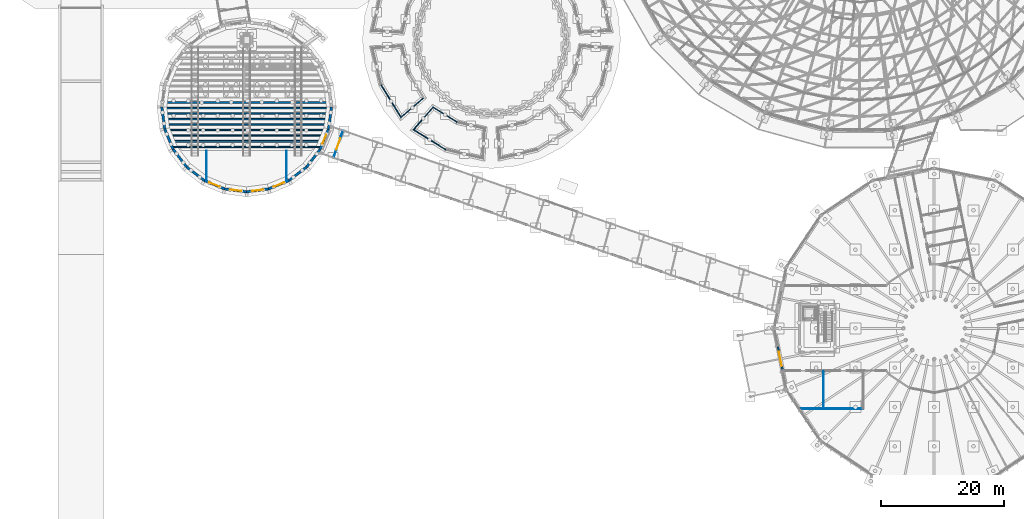
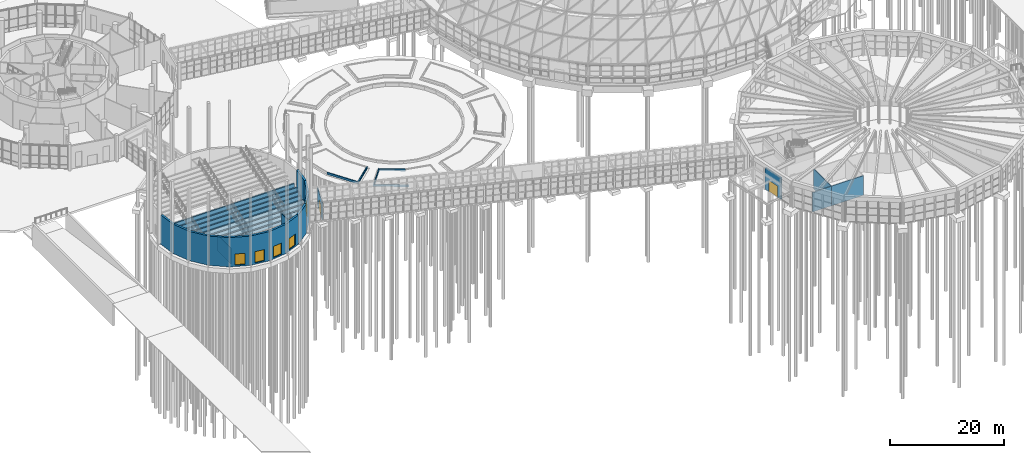
# One storey, part 159 of 226: 33 walls, 7 doors, 7 openings.
"""IFC4 building model written with IfcOpenShell, lengths in metres."""

from ifc_helpers import new_model, si_unit, direction, frame, frame_2d, origin, place, context, subcontext, project, spatial, polyline, rectangle, outline, extrude, material, layer, layer_set, type_object, element, fill, save


model = new_model("IFC4")

# Units and contexts
model_context = context("Model", 3, precision=1e-05, world=origin(), true_north=direction((0.0, 1.0)))
body_context = subcontext(model_context, "Body", "Model", "MODEL_VIEW")
ifc_project = project(units=[si_unit("LENGTHUNIT", "METRE"), si_unit("AREAUNIT", "SQUARE_METRE"), si_unit("VOLUMEUNIT", "CUBIC_METRE"), si_unit("PLANEANGLEUNIT", "RADIAN"), si_unit("MASSUNIT", "GRAM", prefix="KILO")], contexts=[model_context])

# Site, building, storey
site_placement = place(None, origin())
site = spatial("IfcSite", under=ifc_project, at=site_placement, CompositionType="ELEMENT")
building_placement = place(site_placement, origin())
building = spatial("IfcBuilding", under=site, at=building_placement, Name="Ceibo Conservatory and Research Tower", CompositionType="ELEMENT")
storey_placement = place(building_placement, origin())
storey = spatial("IfcBuildingStorey", under=building, at=storey_placement, Name="L00", CompositionType="ELEMENT", Elevation=0.0)

# Wall, opening, door
ifc_material_1 = material(Name="Aluminium and glass", Category="aluminium")
ifc_layer_1 = layer(ifc_material_1, 0.10009765625)
ifc_layer_set_1 = layer_set([ifc_layer_1], Name="Aluminium and glass")
wall_type_1 = type_object("IfcWallType", Name="Airlock screen wall 100", PredefinedType="PARTITIONING", material=ifc_layer_set_1)
wall_1_placement = place(storey_placement, frame((71.8369140625, 68.138671875, 0.0), z_axis=(0.0, 0.0, 1.0), x_axis=(-0.328302421987, -0.944572665134, 0.0)))
wall_1 = element("IfcWall", 1, at=wall_1_placement, inside=storey, type_object=wall_type_1, Name="Airlock screen AUD-VC-AS0", PredefinedType="PARTITIONING", context=body_context, shape_type="SweptSolid", body=[
    extrude(rectangle(XDim=4.60009765625, YDim=0.10009765625, at=frame_2d((2.300048828125, 0.0))), origin(), (0.0, 0.0, 1.0), 3.800048828125),
])
opening_1_placement = place(wall_1_placement, frame((1.300048828125, 0.0, 0.0)))
opening_1 = element("IfcOpeningElement", 2, at=opening_1_placement, cuts=wall_1, Name="Opening AUD-VC-AD0", PredefinedType="OPENING", context=body_context, shape_type="SweptSolid", body=[
    extrude(rectangle(XDim=2.0, YDim=2.39990234375, at=frame_2d((1.0, 1.199951171875))), frame((0.0, 0.06005859375, 0.0), z_axis=(0.0, -1.0, 0.0), x_axis=(1.0, 0.0, 0.0)), (0.0, 0.0, 1.0), 0.1201171875),
])
door_type_1 = type_object("IfcDoorType", Name="Gallery sliding door 2000x2400", OperationType="DOUBLE_DOOR_SLIDING", PredefinedType="DOOR", material=ifc_material_1)
door_1_placement = place(opening_1_placement, origin())
door_1 = element("IfcDoor", 3, at=door_1_placement, inside=storey, type_object=door_type_1, Name="Gallery airlock door AUD-VC-AD0", OperationType="DOUBLE_DOOR_SLIDING", OverallHeight=2.39990234375, OverallWidth=2.0, PredefinedType="DOOR", context=body_context, shape_type="SweptSolid", body=[
    extrude(rectangle(XDim=2.0, YDim=2.39990234375, at=frame_2d((1.0, 1.199951171875))), frame((0.0, 0.02490234375, 0.0), z_axis=(0.0, -1.0, 0.0), x_axis=(1.0, 0.0, 0.0)), (0.0, 0.0, 1.0), 0.050048828125),
])
fill(opening_1, door_1)

# Walls
ifc_material_2 = material(Name="Concrete C30/37", Category="concrete")
ifc_layer_2 = layer(ifc_material_2, 0.14990234375)
ifc_layer_set_2 = layer_set([ifc_layer_2], Name="Concrete C30/37")
wall_type_2 = type_object("IfcWallType", Name="Bed kerb wall 150", PredefinedType="PARAPET", material=ifc_layer_set_2)
wall_2_placement = place(storey_placement, frame((78.054443359375, 75.566650390625, 0.0), z_axis=(0.0, 0.0, 1.0), x_axis=(0.526233343886, -0.850340207084, 0.0)))
element("IfcWall", 4, at=wall_2_placement, inside=storey, type_object=wall_type_2, Name="Bed PB5 kerb 03", PredefinedType="PARAPET", context=body_context, shape_type="SweptSolid", body=[
    extrude(outline(polyline([(-0.01220703125, -0.074951171875), (6.256591796875, -0.074951171875), (6.080322265625, 0.074951171875), (0.01220703125, 0.074951171875), (-0.01220703125, -0.074951171875)])), origin(), (0.0, 0.0, 1.0), 0.449951171875),
])
wall_3_placement = place(storey_placement, frame((81.300537109375, 70.3212890625, 0.0), z_axis=(0.0, 0.0, 1.0), x_axis=(0.754709588692, 0.656059019248, 0.0)))
element("IfcWall", 5, at=wall_3_placement, inside=storey, type_object=wall_type_2, Name="Bed PB5 kerb 04", PredefinedType="PARAPET", context=body_context, shape_type="SweptSolid", body=[
    extrude(outline(polyline([(-0.088134765625, -0.074951171875), (4.911865234375, -0.074951171875), (4.784423828125, 0.074951171875), (0.088134765625, 0.074951171875), (-0.088134765625, -0.074951171875)])), origin(), (0.0, 0.0, 1.0), 0.449951171875),
])
wall_4_placement = place(storey_placement, frame((86.501953125, 71.95947265625, 0.0), z_axis=(0.0, 0.0, 1.0), x_axis=(-0.656059019248, -0.754709588692, 0.0)))
element("IfcWall", 6, at=wall_4_placement, inside=storey, type_object=wall_type_2, Name="Bed PB6 kerb 01", PredefinedType="PARAPET", context=body_context, shape_type="SweptSolid", body=[
    extrude(outline(polyline([(-0.063720703125, -0.074951171875), (4.936279296875, -0.074951171875), (4.760009765625, 0.074951171875), (0.063720703125, 0.074951171875), (-0.063720703125, -0.074951171875)])), origin(), (0.0, 0.0, 1.0), 0.449951171875),
])
wall_5_placement = place(storey_placement, frame((83.3212890625, 68.300537109375, 0.0), z_axis=(0.0, 0.0, 1.0), x_axis=(0.850340207084, -0.526233343886, 0.0)))
element("IfcWall", 7, at=wall_5_placement, inside=storey, type_object=wall_type_2, Name="Bed PB6 kerb 02", PredefinedType="PARAPET", context=body_context, shape_type="SweptSolid", body=[
    extrude(outline(polyline([(-0.088134765625, -0.074951171875), (6.1806640625, -0.074951171875), (6.15625, 0.074951171875), (0.088134765625, 0.074951171875), (-0.088134765625, -0.074951171875)])), origin(), (0.0, 0.0, 1.0), 0.449951171875),
])
wall_6_placement = place(storey_placement, frame((90.422119140625, 69.533447265625, 0.0), z_axis=(0.0, 0.0, 1.0), x_axis=(-0.850337369137, 0.526237929695, 0.0)))
element("IfcWall", 8, at=wall_6_placement, inside=storey, type_object=wall_type_2, Name="Bed PB6 kerb 06", PredefinedType="PARAPET", context=body_context, shape_type="SweptSolid", body=[
    extrude(outline(polyline([(0.01220703125, -0.074951171875), (4.673828125, -0.074951171875), (4.54638671875, 0.074951171875), (-0.01220703125, 0.074951171875), (0.01220703125, -0.074951171875)])), origin(), (0.0, 0.0, 1.0), 0.449951171875),
])
ifc_material_3 = material(Name="Plasterboard on metal studs, fire board")
ifc_layer_3 = layer(ifc_material_3, 0.14990234375)
ifc_layer_set_3 = layer_set([ifc_layer_3], Name="Plasterboard on metal studs, fire board")
wall_type_3 = type_object("IfcWallType", Name="Corridor wall 150 EI 60", PredefinedType="PARTITIONING", material=ifc_layer_set_3)
wall_7_placement = place(storey_placement, frame((150.0, 29.030029296875, 0.0), z_axis=(0.0, 0.0, 1.0), x_axis=(0.0, -1.0, 0.0)))
element("IfcWall", 9, at=wall_7_placement, inside=storey, type_object=wall_type_3, Name="Partition 00.042", PredefinedType="PARTITIONING", context=body_context, shape_type="SweptSolid", body=[
    extrude(rectangle(XDim=6.06005859375, YDim=0.14990234375, at=frame_2d((3.030029296875, 0.0))), origin(), (0.0, 0.0, 1.0), 4.199951171875),
])
wall_8_placement = place(storey_placement, frame((150.0, 22.89990234375, 0.0), z_axis=(0.0, 0.0, 1.0), x_axis=(-1.0, 0.0, 0.0)))
element("IfcWall", 10, at=wall_8_placement, inside=storey, type_object=wall_type_3, Name="Partition 00.043", PredefinedType="PARTITIONING", context=body_context, shape_type="SweptSolid", body=[
    extrude(rectangle(XDim=3.810546875, YDim=0.14990234375, at=frame_2d((1.9052734375, 0.0))), origin(), (0.0, 0.0, 1.0), 4.199951171875),
])
wall_9_placement = place(storey_placement, frame((156.5, 22.89990234375, 0.0), z_axis=(0.0, 0.0, 1.0), x_axis=(-1.0, 0.0, 0.0)))
element("IfcWall", 11, at=wall_9_placement, inside=storey, type_object=wall_type_3, Name="Partition 00.045", PredefinedType="PARTITIONING", context=body_context, shape_type="SweptSolid", body=[
    extrude(rectangle(XDim=6.5, YDim=0.14990234375, at=frame_2d((3.25, 0.0))), origin(), (0.0, 0.0, 1.0), 4.199951171875),
])
ifc_material_4 = material(Name="Plasterboard on metal studs")
ifc_layer_4 = layer(ifc_material_4, 0.10009765625)
ifc_layer_set_4 = layer_set([ifc_layer_4], Name="Plasterboard on metal studs")
wall_type_4 = type_object("IfcWallType", Name="Partition 100", PredefinedType="PARTITIONING", material=ifc_layer_set_4)
for number, where, z_axis, x_axis, name in (
    (12, (49.68017578125, 60.1015625, 0.0), (0.0, 0.0, 1.0), (0.0, 1.0, 0.0), "Stage side wall A01"),
    (13, (62.68017578125, 60.1015625, 0.0), (0.0, 0.0, 1.0), (0.0, 1.0, 0.0), "Stage side wall A02"),
):
    element("IfcWall", number, at=place(storey_placement, frame(where, z_axis=z_axis, x_axis=x_axis)), inside=storey, type_object=wall_type_4, Name=name, PredefinedType="PARTITIONING", context=body_context, shape_type="SweptSolid", body=[
        extrude(rectangle(XDim=4.802001953125, YDim=0.10009765625, at=frame_2d((2.40087890625, 0.0))), origin(), (0.0, 0.0, 1.0), 3.39990234375),
    ])

# Wall, opening, door
ifc_material_5 = material(Name="Concrete C35/45", Category="concrete")
ifc_layer_5 = layer(ifc_material_5, 0.25)
ifc_layer_set_5 = layer_set([ifc_layer_5], Name="Concrete C35/45")
wall_type_5 = type_object("IfcWallType", Name="Pavilion entrance stub wall 250", PredefinedType="SOLIDWALL", material=ifc_layer_set_5)
wall_10_placement = place(storey_placement, frame((142.579833984375, 33.084716796875, 0.0), z_axis=(0.0, 0.0, 1.0), x_axis=(0.195087556151, -0.980785830564, 0.0)))
wall_10 = element("IfcWall", 14, at=wall_10_placement, inside=storey, type_object=wall_type_5, Name="Pavilion entrance wall VC-W09", PredefinedType="SOLIDWALL", context=body_context, shape_type="SweptSolid", body=[
    extrude(rectangle(XDim=4.199951171875, YDim=0.25, at=frame_2d((2.10009765625, 0.0))), origin(), (0.0, 0.0, 1.0), 4.64892578125),
])
opening_2_placement = place(wall_10_placement, frame((0.89990234375, 0.0, 0.0)))
opening_2 = element("IfcOpeningElement", 15, at=opening_2_placement, cuts=wall_10, Name="Opening VC-D04", PredefinedType="OPENING", context=body_context, shape_type="SweptSolid", body=[
    extrude(rectangle(XDim=2.39990234375, YDim=2.39990234375, at=frame_2d((1.199951171875, 1.199951171875))), frame((0.0, 0.135009765625, 0.0), z_axis=(0.0, -1.0, 0.0), x_axis=(1.0, 0.0, 0.0)), (0.0, 0.0, 1.0), 0.27001953125),
])
door_type_2 = type_object("IfcDoorType", Name="Pavilion entrance double door 2400x2400", OperationType="DOUBLE_DOOR_SINGLE_SWING", PredefinedType="DOOR", material=ifc_material_1)
door_2_placement = place(opening_2_placement, frame((2.39990234375, 0.0, 0.0), z_axis=(0.0, 0.0, 1.0), x_axis=(-1.0, 0.0, 0.0)))
door_2 = element("IfcDoor", 16, at=door_2_placement, inside=storey, type_object=door_type_2, Name="Pavilion door VC-D04", OperationType="DOUBLE_DOOR_SINGLE_SWING", OverallHeight=2.39990234375, OverallWidth=2.39990234375, PredefinedType="DOOR", context=body_context, shape_type="SweptSolid", body=[
    extrude(rectangle(XDim=2.39990234375, YDim=2.39990234375, at=frame_2d((1.199951171875, 1.199951171875))), frame((0.0, 0.02490234375, 0.0), z_axis=(0.0, -1.0, 0.0), x_axis=(1.0, 0.0, 0.0)), (0.0, 0.0, 1.0), 0.050048828125),
])
fill(opening_2, door_2)

# Walls
ifc_material_6 = material(Name="Concrete C40/50", Category="concrete")
ifc_layer_6 = layer(ifc_material_6, 0.39990234375)
ifc_layer_set_6 = layer_set([ifc_layer_6], Name="Concrete C40/50")
wall_type_6 = type_object("IfcWallType", Name="RC drum wall 400 C40", PredefinedType="SOLIDWALL", material=ifc_layer_set_6)
for number, where, z_axis, x_axis, name in (
    (17, (42.3818359375, 72.0, -0.300048828125), (0.0, 0.0, 1.0), (0.130538668266, -0.991443218791, 0.0), "Auditorium wall L00 13"),
    (18, (42.85205078125, 68.4287109375, -0.300048828125), (0.0, 0.0, 1.0), (0.382675039804, -0.923883008779, 0.0), "Auditorium wall L00 14"),
    (19, (44.23046875, 65.100830078125, -0.300048828125), (0.0, 0.0, 1.0), (0.608780097093, -0.793339015417, 0.0), "Auditorium wall L00 15"),
    (20, (46.42333984375, 62.2431640625, -0.300048828125), (0.0, 0.0, 1.0), (0.793339015417, -0.608780097093, 0.0), "Auditorium wall L00 16"),
):
    element("IfcWall", number, at=place(storey_placement, frame(where, z_axis=z_axis, x_axis=x_axis)), inside=storey, type_object=wall_type_6, Name=name, PredefinedType="SOLIDWALL", context=body_context, shape_type="SweptSolid", body=[
        extrude(outline(polyline([(-0.0263671875, -0.199951171875), (3.62841796875, -0.199951171875), (3.57568359375, 0.199951171875), (0.0263671875, 0.199951171875), (-0.0263671875, -0.199951171875)])), origin(), (0.0, 0.0, 1.0), 6.300048828125),
    ])

# Wall, opening, door
wall_11_placement = place(storey_placement, frame((49.281005859375, 60.05029296875, -0.300048828125), z_axis=(0.0, 0.0, 1.0), x_axis=(0.923883008779, -0.382675039804, 0.0)))
wall_11 = element("IfcWall", 21, at=wall_11_placement, inside=storey, type_object=wall_type_6, Name="Auditorium wall L00 17", PredefinedType="SOLIDWALL", context=body_context, shape_type="SweptSolid", body=[
    extrude(outline(polyline([(-0.0263671875, -0.199951171875), (3.62841796875, -0.199951171875), (3.57568359375, 0.199951171875), (0.0263671875, 0.199951171875), (-0.0263671875, -0.199951171875)])), origin(), (0.0, 0.0, 1.0), 6.300048828125),
])
opening_3_placement = place(wall_11_placement, frame((0.90087890625, 0.0, 0.300048828125)))
opening_3 = element("IfcOpeningElement", 22, at=opening_3_placement, cuts=wall_11, Name="Opening E00.10", PredefinedType="OPENING", context=body_context, shape_type="SweptSolid", body=[
    extrude(rectangle(XDim=1.800048828125, YDim=2.39990234375, at=frame_2d((0.89990234375, 1.199951171875))), frame((0.0, 0.2099609375, 0.0), z_axis=(0.0, -1.0, 0.0), x_axis=(1.0, 0.0, 0.0)), (0.0, 0.0, 1.0), 0.419921875),
])
ifc_material_7 = material(Name="Galvanised sheet steel DX51D", Category="steel")
door_type_3 = type_object("IfcDoorType", Name="Exterior auditorium exit double door 1800 x 2400", OperationType="DOUBLE_DOOR_SINGLE_SWING", PredefinedType="DOOR", material=ifc_material_7)
door_3_placement = place(opening_3_placement, frame((1.800048828125, 0.0, 0.0), z_axis=(0.0, 0.0, 1.0), x_axis=(-1.0, 0.0, 0.0)))
door_3 = element("IfcDoor", 23, at=door_3_placement, inside=storey, type_object=door_type_3, Name="Auditorium Exit", OperationType="DOUBLE_DOOR_SINGLE_SWING", OverallHeight=2.39990234375, OverallWidth=1.800048828125, PredefinedType="DOOR", context=body_context, shape_type="SweptSolid", body=[
    extrude(rectangle(XDim=1.800048828125, YDim=2.39990234375, at=frame_2d((0.89990234375, 1.199951171875))), frame((0.0, 0.02490234375, 0.0), z_axis=(0.0, -1.0, 0.0), x_axis=(1.0, 0.0, 0.0)), (0.0, 0.0, 1.0), 0.050048828125),
])
fill(opening_3, door_3)

wall_12_placement = place(storey_placement, frame((52.60888671875, 58.671875, -0.300048828125), z_axis=(0.0, 0.0, 1.0), x_axis=(0.991443218791, -0.130538668266, 0.0)))
wall_12 = element("IfcWall", 24, at=wall_12_placement, inside=storey, type_object=wall_type_6, Name="Auditorium wall L00 18", PredefinedType="SOLIDWALL", context=body_context, shape_type="SweptSolid", body=[
    extrude(outline(polyline([(-0.0263671875, -0.199951171875), (3.62841796875, -0.199951171875), (3.57568359375, 0.199951171875), (0.0263671875, 0.199951171875), (-0.0263671875, -0.199951171875)])), origin(), (0.0, 0.0, 1.0), 6.300048828125),
])
opening_4_placement = place(wall_12_placement, frame((0.90087890625, 0.0, 0.300048828125)))
opening_4 = element("IfcOpeningElement", 25, at=opening_4_placement, cuts=wall_12, Name="Opening E00.11", PredefinedType="OPENING", context=body_context, shape_type="SweptSolid", body=[
    extrude(rectangle(XDim=1.800048828125, YDim=2.39990234375, at=frame_2d((0.89990234375, 1.199951171875))), frame((0.0, 0.2099609375, 0.0), z_axis=(0.0, -1.0, 0.0), x_axis=(1.0, 0.0, 0.0)), (0.0, 0.0, 1.0), 0.419921875),
])
door_4_placement = place(opening_4_placement, frame((1.800048828125, 0.0, 0.0), z_axis=(0.0, 0.0, 1.0), x_axis=(-1.0, 0.0, 0.0)))
door_4 = element("IfcDoor", 26, at=door_4_placement, inside=storey, type_object=door_type_3, Name="Auditorium Exit", OperationType="DOUBLE_DOOR_SINGLE_SWING", OverallHeight=2.39990234375, OverallWidth=1.800048828125, PredefinedType="DOOR", context=body_context, shape_type="SweptSolid", body=[
    extrude(rectangle(XDim=1.800048828125, YDim=2.39990234375, at=frame_2d((0.89990234375, 1.199951171875))), frame((0.0, 0.02490234375, 0.0), z_axis=(0.0, -1.0, 0.0), x_axis=(1.0, 0.0, 0.0)), (0.0, 0.0, 1.0), 0.050048828125),
])
fill(opening_4, door_4)

wall_13_placement = place(storey_placement, frame((56.18017578125, 58.20166015625, -0.300048828125), z_axis=(0.0, 0.0, 1.0), x_axis=(0.99144206373, 0.130547440674, 0.0)))
wall_13 = element("IfcWall", 27, at=wall_13_placement, inside=storey, type_object=wall_type_6, Name="Auditorium wall L00 19", PredefinedType="SOLIDWALL", context=body_context, shape_type="SweptSolid", body=[
    extrude(outline(polyline([(-0.0263671875, -0.199951171875), (3.628173828125, -0.199951171875), (3.575439453125, 0.199951171875), (0.0263671875, 0.199951171875), (-0.0263671875, -0.199951171875)])), origin(), (0.0, 0.0, 1.0), 6.300048828125),
])
opening_5_placement = place(wall_13_placement, frame((0.90087890625, 0.0, 0.300048828125)))
opening_5 = element("IfcOpeningElement", 28, at=opening_5_placement, cuts=wall_13, Name="Opening E00.12", PredefinedType="OPENING", context=body_context, shape_type="SweptSolid", body=[
    extrude(rectangle(XDim=1.800048828125, YDim=2.39990234375, at=frame_2d((0.89990234375, 1.199951171875))), frame((0.0, 0.2099609375, 0.0), z_axis=(0.0, -1.0, 0.0), x_axis=(1.0, 0.0, 0.0)), (0.0, 0.0, 1.0), 0.419921875),
])
door_5_placement = place(opening_5_placement, frame((1.800048828125, 0.0, 0.0), z_axis=(0.0, 0.0, 1.0), x_axis=(-1.0, 0.0, 0.0)))
door_5 = element("IfcDoor", 29, at=door_5_placement, inside=storey, type_object=door_type_3, Name="Auditorium Exit", OperationType="DOUBLE_DOOR_SINGLE_SWING", OverallHeight=2.39990234375, OverallWidth=1.800048828125, PredefinedType="DOOR", context=body_context, shape_type="SweptSolid", body=[
    extrude(rectangle(XDim=1.800048828125, YDim=2.39990234375, at=frame_2d((0.89990234375, 1.199951171875))), frame((0.0, 0.02490234375, 0.0), z_axis=(0.0, -1.0, 0.0), x_axis=(1.0, 0.0, 0.0)), (0.0, 0.0, 1.0), 0.050048828125),
])
fill(opening_5, door_5)

wall_14_placement = place(storey_placement, frame((59.751220703125, 58.671875, -0.300048828125), z_axis=(0.0, 0.0, 1.0), x_axis=(0.923883008779, 0.382675039804, 0.0)))
wall_14 = element("IfcWall", 30, at=wall_14_placement, inside=storey, type_object=wall_type_6, Name="Auditorium wall L00 20", PredefinedType="SOLIDWALL", context=body_context, shape_type="SweptSolid", body=[
    extrude(outline(polyline([(-0.0263671875, -0.199951171875), (3.62841796875, -0.199951171875), (3.57568359375, 0.199951171875), (0.0263671875, 0.199951171875), (-0.0263671875, -0.199951171875)])), origin(), (0.0, 0.0, 1.0), 6.300048828125),
])
opening_6_placement = place(wall_14_placement, frame((0.90087890625, 0.0, 0.300048828125)))
opening_6 = element("IfcOpeningElement", 31, at=opening_6_placement, cuts=wall_14, Name="Opening E00.13", PredefinedType="OPENING", context=body_context, shape_type="SweptSolid", body=[
    extrude(rectangle(XDim=1.800048828125, YDim=2.39990234375, at=frame_2d((0.89990234375, 1.199951171875))), frame((0.0, 0.2099609375, 0.0), z_axis=(0.0, -1.0, 0.0), x_axis=(1.0, 0.0, 0.0)), (0.0, 0.0, 1.0), 0.419921875),
])
door_6_placement = place(opening_6_placement, frame((1.800048828125, 0.0, 0.0), z_axis=(0.0, 0.0, 1.0), x_axis=(-1.0, 0.0, 0.0)))
door_6 = element("IfcDoor", 32, at=door_6_placement, inside=storey, type_object=door_type_3, Name="Auditorium Exit", OperationType="DOUBLE_DOOR_SINGLE_SWING", OverallHeight=2.39990234375, OverallWidth=1.800048828125, PredefinedType="DOOR", context=body_context, shape_type="SweptSolid", body=[
    extrude(rectangle(XDim=1.800048828125, YDim=2.39990234375, at=frame_2d((0.89990234375, 1.199951171875))), frame((0.0, 0.02490234375, 0.0), z_axis=(0.0, -1.0, 0.0), x_axis=(1.0, 0.0, 0.0)), (0.0, 0.0, 1.0), 0.050048828125),
])
fill(opening_6, door_6)

# Walls
wall_15_placement = place(storey_placement, frame((63.0791015625, 60.05029296875, -0.300048828125), z_axis=(0.0, 0.0, 1.0), x_axis=(0.793364132735, 0.608747363764, 0.0)))
element("IfcWall", 33, at=wall_15_placement, inside=storey, type_object=wall_type_6, Name="Auditorium wall L00 21", PredefinedType="SOLIDWALL", context=body_context, shape_type="SweptSolid", body=[
    extrude(outline(polyline([(-0.0263671875, -0.199951171875), (3.628662109375, -0.199951171875), (3.575927734375, 0.199951171875), (0.0263671875, 0.199951171875), (-0.0263671875, -0.199951171875)])), origin(), (0.0, 0.0, 1.0), 6.300048828125),
])
wall_16_placement = place(storey_placement, frame((65.93701171875, 62.2431640625, -0.300048828125), z_axis=(0.0, 0.0, 1.0), x_axis=(0.608737436008, 0.793371750192, 0.0)))
element("IfcWall", 34, at=wall_16_placement, inside=storey, type_object=wall_type_6, Name="Auditorium wall L00 22", PredefinedType="SOLIDWALL", context=body_context, shape_type="SweptSolid", body=[
    extrude(outline(polyline([(-0.0263671875, -0.199951171875), (3.628173828125, -0.199951171875), (3.575439453125, 0.199951171875), (0.0263671875, 0.199951171875), (-0.0263671875, -0.199951171875)])), origin(), (0.0, 0.0, 1.0), 6.300048828125),
])

# Wall, opening, door
wall_17_placement = place(storey_placement, frame((68.129638671875, 65.100830078125, -0.300048828125), z_axis=(0.0, 0.0, 1.0), x_axis=(0.382732890199, 0.923859044855, 0.0)))
wall_17 = element("IfcWall", 35, at=wall_17_placement, inside=storey, type_object=wall_type_6, Name="Auditorium wall L00 23", PredefinedType="SOLIDWALL", context=body_context, shape_type="SweptSolid", body=[
    extrude(outline(polyline([(-0.0263671875, -0.199951171875), (3.62841796875, -0.199951171875), (3.57568359375, 0.199951171875), (0.0263671875, 0.199951171875), (-0.0263671875, -0.199951171875)])), origin(), (0.0, 0.0, 1.0), 6.300048828125),
])
opening_7_placement = place(wall_17_placement, frame((1.0009765625, 0.0, 0.300048828125)))
opening_7 = element("IfcOpeningElement", 36, at=opening_7_placement, cuts=wall_17, Name="Opening E00.14", PredefinedType="OPENING", context=body_context, shape_type="SweptSolid", body=[
    extrude(rectangle(XDim=1.60009765625, YDim=2.39990234375, at=frame_2d((0.800048828125, 1.199951171875))), frame((0.0, 0.2099609375, 0.0), z_axis=(0.0, -1.0, 0.0), x_axis=(1.0, 0.0, 0.0)), (0.0, 0.0, 1.0), 0.419921875),
])
door_type_4 = type_object("IfcDoorType", Name="Exterior gallery link double door 1600 x 2400", OperationType="DOUBLE_DOOR_DOUBLE_SWING", PredefinedType="DOOR", material=ifc_material_1)
door_7_placement = place(opening_7_placement, origin())
door_7 = element("IfcDoor", 37, at=door_7_placement, inside=storey, type_object=door_type_4, Name="Gallery Link Door", OperationType="DOUBLE_DOOR_DOUBLE_SWING", OverallHeight=2.39990234375, OverallWidth=1.60009765625, PredefinedType="DOOR", context=body_context, shape_type="SweptSolid", body=[
    extrude(rectangle(XDim=1.60009765625, YDim=2.39990234375, at=frame_2d((0.800048828125, 1.199951171875))), frame((0.0, 0.02490234375, 0.0), z_axis=(0.0, -1.0, 0.0), x_axis=(1.0, 0.0, 0.0)), (0.0, 0.0, 1.0), 0.050048828125),
])
fill(opening_7, door_7)

# Walls
wall_18_placement = place(storey_placement, frame((69.50830078125, 68.4287109375, -0.300048828125), z_axis=(0.0, 0.0, 1.0), x_axis=(0.13047204524, 0.991451988455, 0.0)))
element("IfcWall", 38, at=wall_18_placement, inside=storey, type_object=wall_type_6, Name="Auditorium wall L00 24", PredefinedType="SOLIDWALL", context=body_context, shape_type="SweptSolid", body=[
    extrude(outline(polyline([(-0.0263671875, -0.199951171875), (3.62841796875, -0.199951171875), (3.57568359375, 0.199951171875), (0.0263671875, 0.199951171875), (-0.0263671875, -0.199951171875)])), origin(), (0.0, 0.0, 1.0), 6.300048828125),
])
ifc_layer_7 = layer(ifc_material_5, 0.25)
ifc_layer_set_7 = layer_set([ifc_layer_7], Name="Concrete C35/45")
wall_type_7 = type_object("IfcWallType", Name="RC riser wall 250 C35", PredefinedType="SOLIDWALL", material=ifc_layer_set_7)
wall_19_placement = place(storey_placement, frame((44.218017578125, 65.528564453125, 0.0), z_axis=(0.0, 0.0, 1.0), x_axis=(1.0, 0.0, 0.0)))
element("IfcWall", 39, at=wall_19_placement, inside=storey, type_object=wall_type_7, Name="Riser wall R01", PredefinedType="SOLIDWALL", context=body_context, shape_type="SweptSolid", body=[
    extrude(rectangle(XDim=23.924072265625, YDim=0.25, at=frame_2d((11.9619140625, 0.0))), origin(), (0.0, 0.0, 1.0), 0.300048828125),
])
wall_20_placement = place(storey_placement, frame((43.84521484375, 66.428466796875, 0.0), z_axis=(0.0, 0.0, 1.0), x_axis=(1.0, 0.0, 0.0)))
element("IfcWall", 40, at=wall_20_placement, inside=storey, type_object=wall_type_7, Name="Riser wall R02", PredefinedType="SOLIDWALL", context=body_context, shape_type="SweptSolid", body=[
    extrude(rectangle(XDim=24.669677734375, YDim=0.25, at=frame_2d((12.3349609375, 0.0))), origin(), (0.0, 0.0, 1.0), 0.60009765625),
])
wall_21_placement = place(storey_placement, frame((43.472412109375, 67.328369140625, 0.0), z_axis=(0.0, 0.0, 1.0), x_axis=(1.0, 0.0, 0.0)))
element("IfcWall", 41, at=wall_21_placement, inside=storey, type_object=wall_type_7, Name="Riser wall R03", PredefinedType="SOLIDWALL", context=body_context, shape_type="SweptSolid", body=[
    extrude(rectangle(XDim=25.415283203125, YDim=0.25, at=frame_2d((12.70751953125, 0.0))), origin(), (0.0, 0.0, 1.0), 0.89990234375),
])
wall_22_placement = place(storey_placement, frame((43.099609375, 68.228515625, 0.0), z_axis=(0.0, 0.0, 1.0), x_axis=(1.0, 0.0, 0.0)))
element("IfcWall", 42, at=wall_22_placement, inside=storey, type_object=wall_type_7, Name="Riser wall R04", PredefinedType="SOLIDWALL", context=body_context, shape_type="SweptSolid", body=[
    extrude(rectangle(XDim=26.160888671875, YDim=0.25, at=frame_2d((13.08056640625, 0.0))), origin(), (0.0, 0.0, 1.0), 1.199951171875),
])
wall_23_placement = place(storey_placement, frame((42.945068359375, 69.12841796875, 0.0), z_axis=(0.0, 0.0, 1.0), x_axis=(1.0, 0.0, 0.0)))
element("IfcWall", 43, at=wall_23_placement, inside=storey, type_object=wall_type_7, Name="Riser wall R05", PredefinedType="SOLIDWALL", context=body_context, shape_type="SweptSolid", body=[
    extrude(rectangle(XDim=26.469970703125, YDim=0.25, at=frame_2d((13.23486328125, 0.0))), origin(), (0.0, 0.0, 1.0), 1.5),
])
wall_24_placement = place(storey_placement, frame((42.82666015625, 70.028564453125, 0.0), z_axis=(0.0, 0.0, 1.0), x_axis=(1.0, 0.0, 0.0)))
element("IfcWall", 44, at=wall_24_placement, inside=storey, type_object=wall_type_7, Name="Riser wall R06", PredefinedType="SOLIDWALL", context=body_context, shape_type="SweptSolid", body=[
    extrude(rectangle(XDim=26.706787109375, YDim=0.25, at=frame_2d((13.353515625, 0.0))), origin(), (0.0, 0.0, 1.0), 1.800048828125),
])
wall_25_placement = place(storey_placement, frame((42.708251953125, 70.928466796875, 0.0), z_axis=(0.0, 0.0, 1.0), x_axis=(1.0, 0.0, 0.0)))
element("IfcWall", 45, at=wall_25_placement, inside=storey, type_object=wall_type_7, Name="Riser wall R07", PredefinedType="SOLIDWALL", context=body_context, shape_type="SweptSolid", body=[
    extrude(rectangle(XDim=26.94384765625, YDim=0.25, at=frame_2d((13.471923828125, 0.0))), origin(), (0.0, 0.0, 1.0), 2.10009765625),
])
wall_26_placement = place(storey_placement, frame((42.589599609375, 71.828369140625, 0.0), z_axis=(0.0, 0.0, 1.0), x_axis=(1.0, 0.0, 0.0)))
element("IfcWall", 46, at=wall_26_placement, inside=storey, type_object=wall_type_7, Name="Riser wall R08", PredefinedType="SOLIDWALL", context=body_context, shape_type="SweptSolid", body=[
    extrude(rectangle(XDim=27.180908203125, YDim=0.25, at=frame_2d((13.59033203125, 0.0))), origin(), (0.0, 0.0, 1.0), 2.39990234375),
])
wall_27_placement = place(storey_placement, frame((42.6630859375, 72.728515625, 0.0), z_axis=(0.0, 0.0, 1.0), x_axis=(1.0, 0.0, 0.0)))
element("IfcWall", 47, at=wall_27_placement, inside=storey, type_object=wall_type_7, Name="Riser wall R09", PredefinedType="SOLIDWALL", context=body_context, shape_type="SweptSolid", body=[
    extrude(rectangle(XDim=27.0341796875, YDim=0.25, at=frame_2d((13.51708984375, 0.0))), origin(), (0.0, 0.0, 1.0), 2.699951171875),
])

save(model, "model.ifc")
